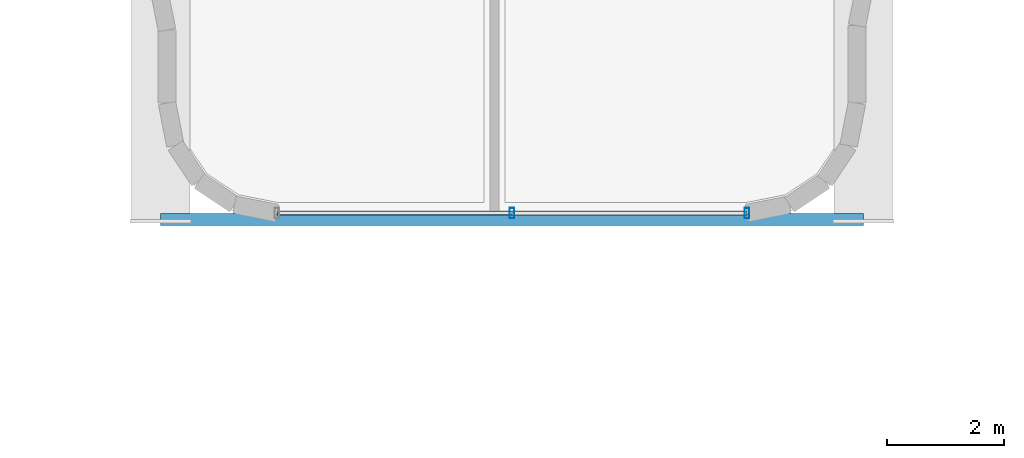
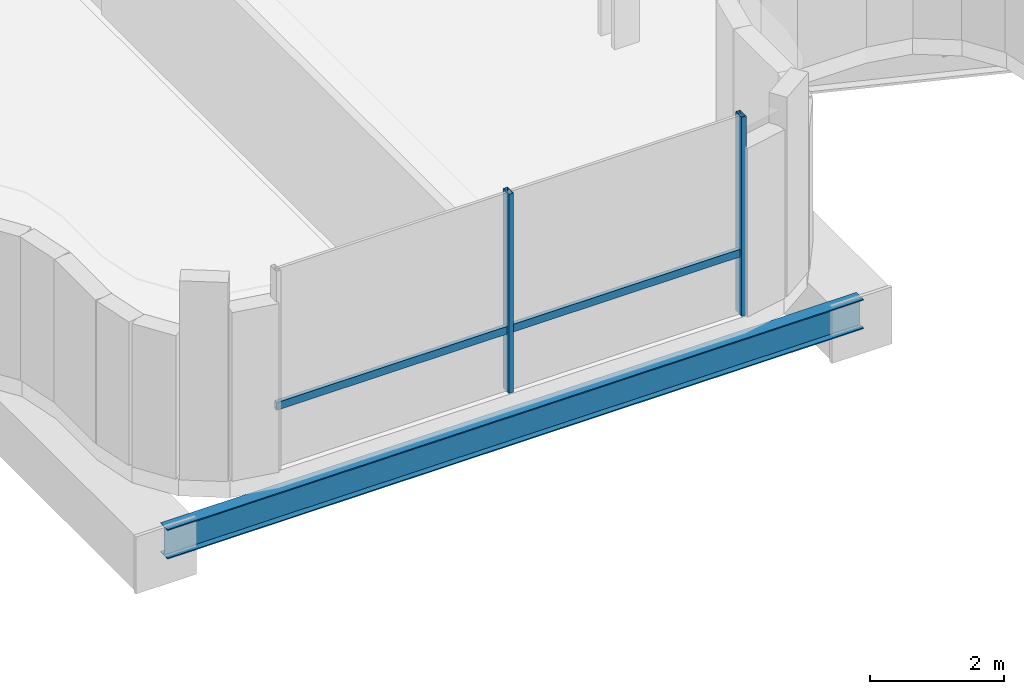
# One storey, part 11 of 39: 3 members, 1 beam, 1 element without a shape of its own.
"""IFC4 building model written with IfcOpenShell, lengths in metres."""

import ifcopenshell
import ifcopenshell.guid

model = None  # the IFC model being written
_history = None  # IfcOwnerHistory: only IFC2X3 demands one
_inside = {}  # id of a spatial element -> (the spatial element, [elements in it])
_under = {}  # id of a project, library or spatial element -> (it, [spatial elements below it])
_declared = {}  # id of a project -> (the project, [libraries it declares])
_typed = {}  # id of a type object -> (the type object, [elements of that type])
_made_of = {}  # id of a material, layer set ... -> (it, [elements and type objects made of it])


def new_model(schema):
    """Start an empty IFC model of exactly this schema.

    Asked for "IFC4X3", IfcOpenShell would pick the latest addendum, in which some entities
    have other attributes; the version numbers below select the first issue.
    IFC2X3 requires an IfcOwnerHistory on every rooted entity: one is made here for all.
    """
    global model, _history
    if schema == "IFC4X3":
        model = ifcopenshell.file(schema_version=(4, 3, 0, 0))
    else:
        model = ifcopenshell.file(schema=schema)
    _inside.clear()
    _under.clear()
    _declared.clear()
    _typed.clear()
    _made_of.clear()
    _history = None
    if model.schema == "IFC2X3":
        org = make("IfcOrganization", Name="unknown")
        user = make(
            "IfcPersonAndOrganization",
            ThePerson=make("IfcPerson", FamilyName="unknown"),
            TheOrganization=org,
        )
        app = make(
            "IfcApplication",
            ApplicationDeveloper=org,
            Version="unknown",
            ApplicationFullName="unknown",
            ApplicationIdentifier="unknown",
        )
        _history = make(
            "IfcOwnerHistory",
            OwningUser=user,
            OwningApplication=app,
            ChangeAction="ADDED",
            CreationDate=0,
        )
    return model


def make(cls, **values):
    """One entity of the class cls with the attributes given. An attribute that is None is left unset."""
    return model.create_entity(
        cls, **{name: value for name, value in values.items() if value is not None}
    )


def rooted(cls, **values):
    """An entity with a GlobalId (a new one), such as an element, a storey or a relation."""
    return make(cls, GlobalId=ifcopenshell.guid.new(), OwnerHistory=_history, **values)


def si_unit(unit_type, name, prefix=None):
    """IfcSIUnit, for example si_unit("LENGTHUNIT", "METRE", prefix="MILLI")."""
    return make("IfcSIUnit", UnitType=unit_type, Prefix=prefix, Name=name)


def assignment(units):
    """IfcUnitAssignment: the units of a project."""
    return None if units is None else make("IfcUnitAssignment", Units=units)


def point(xyz):
    """IfcCartesianPoint."""
    return None if xyz is None else make("IfcCartesianPoint", Coordinates=xyz)


def direction(xyz):
    """IfcDirection."""
    return None if xyz is None else make("IfcDirection", DirectionRatios=xyz)


def frame(location, z_axis=None, x_axis=None):
    """IfcAxis2Placement3D, a coordinate frame: its origin and axes. An axis left out is left unset."""
    return make(
        "IfcAxis2Placement3D",
        Location=point(location),
        Axis=direction(z_axis),
        RefDirection=direction(x_axis),
    )


def frame_2d(location, x_axis=None):
    """IfcAxis2Placement2D, a coordinate frame in the plane: its origin and x axis."""
    return make(
        "IfcAxis2Placement2D", Location=point(location), RefDirection=direction(x_axis)
    )


def origin():
    """The frame at (0, 0, 0) with its axes left unset."""
    return frame((0.0, 0.0, 0.0))


def origin_2d():
    """The frame at (0, 0) in the plane with its x axis left unset."""
    return frame_2d((0.0, 0.0))


def place(relative_to, where):
    """IfcLocalPlacement: puts the frame where relative to a parent placement (None: the world)."""
    return make(
        "IfcLocalPlacement", PlacementRelTo=relative_to, RelativePlacement=where
    )


def context(
    kind, dimensions, precision=None, world=None, true_north=None, identifier=None
):
    """IfcGeometricRepresentationContext, for example the 3D "Model" context."""
    return make(
        "IfcGeometricRepresentationContext",
        ContextIdentifier=identifier,
        ContextType=kind,
        CoordinateSpaceDimension=dimensions,
        Precision=precision,
        WorldCoordinateSystem=world,
        TrueNorth=true_north,
    )


def subcontext(parent, identifier, kind, view, scale=None):
    """IfcGeometricRepresentationSubContext, for example "Body" below "Model"."""
    return make(
        "IfcGeometricRepresentationSubContext",
        ContextIdentifier=identifier,
        ContextType=kind,
        ParentContext=parent,
        TargetScale=scale,
        TargetView=view,
    )


def project(units=None, contexts=None):
    """IfcProject with its units and contexts."""
    return rooted(
        "IfcProject",
        Name="project",
        RepresentationContexts=contexts,
        UnitsInContext=assignment(units),
    )


def spatial(cls, under=None, at=None, **own):
    """A site, building, storey or space (cls), placed at a placement, below another one or the project."""
    s = rooted(cls, ObjectPlacement=at, **own)
    if under is not None:
        _under.setdefault(under.id(), (under, []))[1].append(s)
    return s


def profile(cls, at=None, kind="AREA", **sizes):
    """A parametric profile (cls). Its sizes go by their IFC names, for example OverallWidth=200.0."""
    return make(cls, ProfileType=kind, Position=at, **sizes)


def hollow_rectangle(**sizes):
    """IfcRectangleHollowProfileDef."""
    return profile("IfcRectangleHollowProfileDef", **sizes)


def i_section(**sizes):
    """IfcIShapeProfileDef."""
    return profile("IfcIShapeProfileDef", **sizes)


def extrude(swept, where, along, depth):
    """IfcExtrudedAreaSolid: the profile swept, set in the frame where, extruded along a direction by depth."""
    return make(
        "IfcExtrudedAreaSolid",
        SweptArea=swept,
        Position=where,
        ExtrudedDirection=direction(along),
        Depth=depth,
    )


def shape(context_of_items, identifier, shape_type, items):
    """IfcShapeRepresentation: the items that make up one representation, for example the "Body"."""
    return make(
        "IfcShapeRepresentation",
        ContextOfItems=context_of_items,
        RepresentationIdentifier=identifier,
        RepresentationType=shape_type,
        Items=items,
    )


def source(mapping_origin, context_of_items, identifier, shape_type, items):
    """IfcRepresentationMap: a shape defined once, which mapped items show again and again."""
    return make(
        "IfcRepresentationMap",
        MappingOrigin=mapping_origin,
        MappedRepresentation=shape(context_of_items, identifier, shape_type, items),
    )


def transform(
    local_origin,
    x_axis=None,
    y_axis=None,
    z_axis=None,
    scale=None,
    scale2=None,
    scale3=None,
    uniform=True,
):
    """IfcCartesianTransformationOperator3D, or its non-uniform kind. x_axis, y_axis, z_axis: its Axis1, 2, 3."""
    if uniform:
        return make(
            "IfcCartesianTransformationOperator3D",
            Axis1=direction(x_axis),
            Axis2=direction(y_axis),
            LocalOrigin=point(local_origin),
            Scale=scale,
            Axis3=direction(z_axis),
        )
    return make(
        "IfcCartesianTransformationOperator3DnonUniform",
        Axis1=direction(x_axis),
        Axis2=direction(y_axis),
        LocalOrigin=point(local_origin),
        Scale=scale,
        Axis3=direction(z_axis),
        Scale2=scale2,
        Scale3=scale3,
    )


def mapped(mapping_source, mapping_target):
    """IfcMappedItem: shows the shape of a source again, moved by a transform."""
    return make(
        "IfcMappedItem", MappingSource=mapping_source, MappingTarget=mapping_target
    )


def material(Name=None, Category=None):
    """IfcMaterial."""
    return make("IfcMaterial", Name=Name, Category=Category)


def material_profile(
    of_material, cross_section, Name=None, Category=None, Priority=None
):
    """IfcMaterialProfile: a cross section and its material."""
    return make(
        "IfcMaterialProfile",
        Name=Name,
        Material=of_material,
        Profile=cross_section,
        Priority=Priority,
        Category=Category,
    )


def profile_set(profiles, Name=None, composite=None):
    """IfcMaterialProfileSet."""
    return make(
        "IfcMaterialProfileSet",
        Name=Name,
        MaterialProfiles=profiles,
        CompositeProfile=composite,
    )


def made_of(thing, what):
    """Note that an element or type object is made of a material, layer set ...; save() writes the relation."""
    if what is not None:
        _made_of.setdefault(what.id(), (what, []))[1].append(thing)
    return thing


def type_object(cls, material=None, **own):
    """A type object (cls), such as IfcWallType, which elements share."""
    return made_of(rooted(cls, **own), material)


def element(
    cls,
    number,
    at=None,
    inside=None,
    cuts=None,
    type_object=None,
    material=None,
    context=None,
    identifier="Body",
    shape_type=None,
    held_by="IfcProductDefinitionShape",
    body=None,
    shapes=None,
    **own,
):
    """One element of the class cls, such as IfcWall. Its Tag is "e" and its number.

    at: its placement. inside: the storey or other place that contains it. cuts: it is an
    opening in that element (IfcRelVoidsElement). A single representation is given by context,
    identifier, shape_type and body (its items); several are given by shapes. held_by: the class
    of the entity that holds the representations. save() writes the other relations.
    """
    e = rooted(cls, Tag="e%d" % number, ObjectPlacement=at, **own)
    if body is not None:
        shapes = [shape(context, identifier, shape_type, body)]
    if shapes is not None:
        e.Representation = make(held_by, Representations=shapes)
    if inside is not None:
        _inside.setdefault(inside.id(), (inside, []))[1].append(e)
    if cuts is not None:
        rooted(
            "IfcRelVoidsElement", RelatingBuildingElement=cuts, RelatedOpeningElement=e
        )
    if type_object is not None:
        _typed.setdefault(type_object.id(), (type_object, []))[1].append(e)
    return made_of(e, material)


def aggregate(whole, parts):
    """IfcRelAggregates: a whole, such as a stair, and the parts it consists of."""
    return rooted("IfcRelAggregates", RelatingObject=whole, RelatedObjects=parts)


def save(model, path):
    """Write the relations noted so far, then the file.

    IfcRelAggregates (storeys below a building ...), IfcRelContainedInSpatialStructure (elements
    in a storey), IfcRelDefinesByType, IfcRelAssociatesMaterial and IfcRelDeclares: one each for
    every whole, place, type object, material and project.
    """
    for whole, parts in _under.values():
        aggregate(whole, parts)
    for where, things in _inside.values():
        rooted(
            "IfcRelContainedInSpatialStructure",
            RelatedElements=things,
            RelatingStructure=where,
        )
    for kind, things in _typed.values():
        rooted("IfcRelDefinesByType", RelatedObjects=things, RelatingType=kind)
    for what, things in _made_of.values():
        rooted("IfcRelAssociatesMaterial", RelatedObjects=things, RelatingMaterial=what)
    for by, libraries in _declared.values():
        rooted("IfcRelDeclares", RelatingContext=by, RelatedDefinitions=libraries)
    model.write(path)


model = new_model("IFC4")

# Units and contexts
model_context = context("Model", 3, precision=1e-05, world=origin(), true_north=direction((0.0, 1.0)))
body_context = subcontext(model_context, "Body", "Model", "MODEL_VIEW")
ifc_project = project(units=[si_unit("LENGTHUNIT", "METRE"), si_unit("AREAUNIT", "SQUARE_METRE"), si_unit("VOLUMEUNIT", "CUBIC_METRE"), si_unit("PLANEANGLEUNIT", "RADIAN"), si_unit("MASSUNIT", "GRAM", prefix="KILO")], contexts=[model_context])

# Site, building, storey
site_placement = place(None, origin())
site = spatial("IfcSite", under=ifc_project, at=site_placement, CompositionType="ELEMENT")
building_placement = place(site_placement, origin())
building = spatial("IfcBuilding", under=site, at=building_placement, Name="Valdorenza Pilgrim Sanctuary Tower", CompositionType="ELEMENT")
storey_placement = place(building_placement, frame((0.0, 0.0, 184.449951171875)))
storey = spatial("IfcBuildingStorey", under=building, at=storey_placement, Name="L47", CompositionType="ELEMENT", Elevation=184.449951171875)

# Beam
ifc_material_1 = material(Name="Steel ASTM A992 Grade 50", Category="steel")
ifc_material_profile_1 = material_profile(ifc_material_1, i_section(OverallWidth=0.2109375, OverallDepth=0.5390625, WebThickness=0.01171875, FlangeThickness=0.018798828125, at=origin_2d()), Name="W21X73")
ifc_profile_set_1 = profile_set([ifc_material_profile_1], Name="Steel ASTM A992 Grade 50")
beam_type = type_object("IfcBeamType", Name="STR-BM-SPN-W21B", PredefinedType="SPANDREL", material=ifc_profile_set_1)
shared_shape_1 = source(origin(), body_context, "Body", "SweptSolid", [
    extrude(i_section(OverallWidth=0.2109375, OverallDepth=0.5390625, WebThickness=0.01171875, FlangeThickness=0.018798828125, at=origin_2d()), origin(), (0.0, 0.0, 1.0), 12.0),
])
beam_placement = place(storey_placement, frame((-3.5, -7.199951171875, -0.58935546875), z_axis=(1.0, 0.0, 0.0), x_axis=(0.0, 1.0, 0.0)))
element("IfcBeam", 1, at=beam_placement, inside=storey, type_object=beam_type, Name="L47 South Prow Tip Spandrel PROW-TIP-S", PredefinedType="SPANDREL", context=body_context, shape_type="MappedRepresentation", body=[
    mapped(shared_shape_1, transform((0.0, 0.0, 0.0), x_axis=(1.0, 0.0, 0.0), y_axis=(0.0, 1.0, 0.0), z_axis=(0.0, 0.0, 1.0), scale=1.0)),
])

# Curtain wall, members
ifc_material_2 = material(Name="Curtain-wall IGU glazing", Category="glass")
curtain_wall_type = type_object("IfcCurtainWallType", Name="CW-SYS-05", PredefinedType="NOTDEFINED", material=ifc_material_2)
curtain_wall_placement = place(storey_placement, origin())
curtain_wall = element("IfcCurtainWall", 2, at=curtain_wall_placement, inside=storey, type_object=curtain_wall_type, Name="L47 Curtain Wall CW-L47-1-62", PredefinedType="NOTDEFINED")
ifc_material_3 = material(Name="Anodised aluminium AW-6060", Category="aluminium")
ifc_material_profile_2 = material_profile(ifc_material_3, hollow_rectangle(XDim=0.070068359375, YDim=0.139892578125, WallThickness=0.00341796875, at=origin_2d()), Name="ALU-T 140x70x3.5")
ifc_profile_set_2 = profile_set([ifc_material_profile_2], Name="Anodised aluminium AW-6060")
member_type_1 = type_object("IfcMemberType", Name="CW-TRN-05", PredefinedType="USERDEFINED", material=ifc_profile_set_2)
shared_shape_2 = source(origin(), body_context, "Body", "SweptSolid", [
    extrude(hollow_rectangle(XDim=0.070068359375, YDim=0.139892578125, WallThickness=0.00341796875, at=origin_2d()), origin(), (0.0, 0.0, 1.0), 8.0263671875),
])
member_1_placement = place(storey_placement, frame((6.51318359375, -7.090087890625, 1.1201171875), z_axis=(-1.0, 0.0, 0.0), x_axis=(0.0, -1.0, 0.0)))
member_1 = element("IfcMember", 3, at=member_1_placement, type_object=member_type_1, Name="CW-L47-1-62 Transom 1", ObjectType="TRANSOM", PredefinedType="USERDEFINED", context=body_context, shape_type="MappedRepresentation", body=[
    mapped(shared_shape_2, transform((0.0, 0.0, 0.0), x_axis=(1.0, 0.0, 0.0), y_axis=(0.0, 1.0, 0.0), z_axis=(0.0, 0.0, 1.0), scale=1.0)),
])
ifc_material_profile_3 = material_profile(ifc_material_3, hollow_rectangle(XDim=0.080078125, YDim=0.179931640625, WallThickness=0.00439453125, at=origin_2d()), Name="ALU-M 180x80x4.5")
ifc_profile_set_3 = profile_set([ifc_material_profile_3], Name="Anodised aluminium AW-6060")
member_type_2 = type_object("IfcMemberType", Name="CW-MUL-05", PredefinedType="MULLION", material=ifc_profile_set_3)
shared_shape_3 = source(origin(), body_context, "Body", "SweptSolid", [
    extrude(hollow_rectangle(XDim=0.080078125, YDim=0.179931640625, WallThickness=0.00439453125, at=origin_2d()), origin(), (0.0, 0.0, 1.0), 3.630126953125),
])
member_2_placement = place(storey_placement, frame((6.51318359375, -7.090087890625, 0.0), z_axis=(0.0, 0.0, 1.0), x_axis=(-1.0, 0.0, 0.0)))
member_2 = element("IfcMember", 4, at=member_2_placement, type_object=member_type_2, Name="CW-L47-1-62 Mullion 1", PredefinedType="MULLION", context=body_context, shape_type="MappedRepresentation", body=[
    mapped(shared_shape_3, transform((0.0, 0.0, 0.0), x_axis=(1.0, 0.0, 0.0), y_axis=(0.0, 1.0, 0.0), z_axis=(0.0, 0.0, 1.0), scale=1.0)),
])
member_3_placement = place(storey_placement, frame((2.5, -7.090087890625, 0.0), z_axis=(0.0, 0.0, 1.0), x_axis=(-1.0, 0.0, 0.0)))
member_3 = element("IfcMember", 5, at=member_3_placement, type_object=member_type_2, Name="CW-L47-1-62 Mullion 2", PredefinedType="MULLION", context=body_context, shape_type="MappedRepresentation", body=[
    mapped(shared_shape_3, transform((0.0, 0.0, 0.0), x_axis=(1.0, 0.0, 0.0), y_axis=(0.0, 1.0, 0.0), z_axis=(0.0, 0.0, 1.0), scale=1.0)),
])
aggregate(curtain_wall, [member_2, member_3, member_1])

save(model, "model.ifc")
